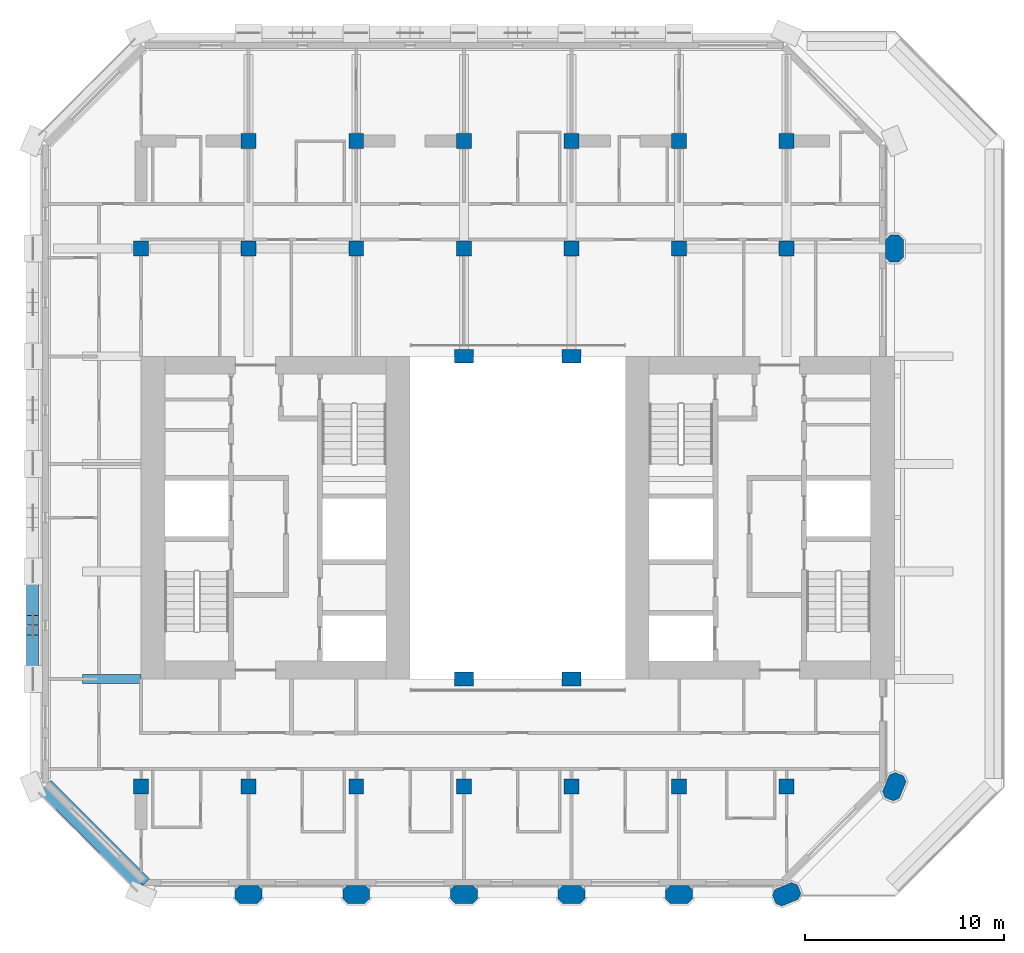
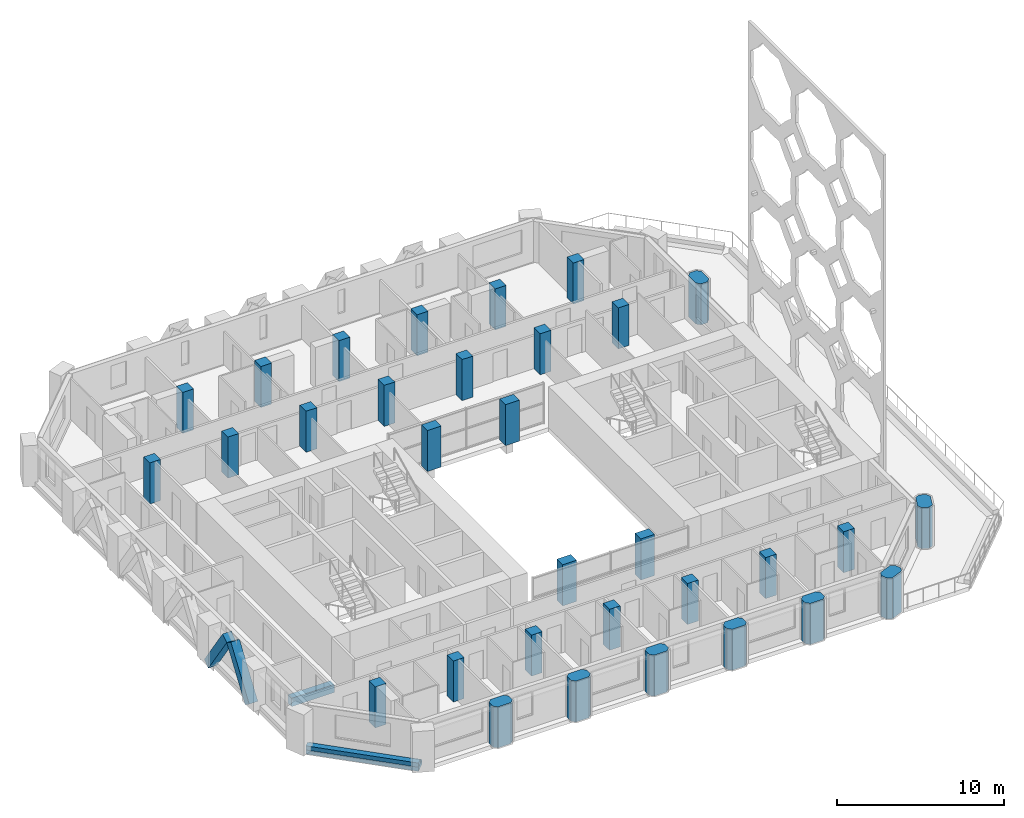
# One storey, part 1 of 15: 32 columns, 3 beams, 2 members.
"""IFC4 building model written with IfcOpenShell, lengths in metres."""

from ifc_helpers import new_model, si_unit, direction, frame, origin, origin_2d, place, context, subcontext, project, spatial, polyline, rectangle, outline, extrude, material, material_profile, profile_set, type_object, element, save


model = new_model("IFC4")

# Units and contexts
model_context = context("Model", 3, precision=1e-05, world=origin(), true_north=direction((0.0, 1.0)))
body_context = subcontext(model_context, "Body", "Model", "MODEL_VIEW")
ifc_project = project(units=[si_unit("LENGTHUNIT", "METRE"), si_unit("AREAUNIT", "SQUARE_METRE"), si_unit("VOLUMEUNIT", "CUBIC_METRE"), si_unit("PLANEANGLEUNIT", "RADIAN"), si_unit("MASSUNIT", "GRAM", prefix="KILO")], contexts=[model_context])

# Site, building, storey
site_placement = place(None, origin())
site = spatial("IfcSite", under=ifc_project, at=site_placement, CompositionType="ELEMENT")
building_placement = place(site_placement, origin())
building = spatial("IfcBuilding", under=site, at=building_placement, Name="Tabaq Tower and Sports Hall", CompositionType="ELEMENT")
storey_placement = place(building_placement, frame((0.0, 0.0, 207.10009765625)))
storey = spatial("IfcBuildingStorey", under=building, at=storey_placement, Name="L51", CompositionType="ELEMENT", Elevation=207.10009765625)

# Columns
ifc_material_1 = material(Name="Concrete C50/60", Category="concrete")
ifc_material_profile_1 = material_profile(ifc_material_1, rectangle(XDim=0.949951171875, YDim=0.699951171875, at=origin_2d()), Name="ATRIUM COLUMN 950x700")
ifc_profile_set_1 = profile_set([ifc_material_profile_1], Name="Concrete C50/60")
column_type_1 = type_object("IfcColumnType", Name="RC COLUMN ATRIUM COLUMN 950x700 C50/60", PredefinedType="COLUMN", material=ifc_profile_set_1)
for number, where, z_axis, x_axis, name in (
    (1, (21.60009765625, 16.199951171875, 0.0), (0.0, 0.0, 1.0), (1.0, 0.0, 0.0), "Atrium Column 5/D L51"),
    (2, (27.0, 16.199951171875, 0.0), (0.0, 0.0, 1.0), (1.0, 0.0, 0.0), "Atrium Column 6/D L51"),
    (3, (21.60009765625, 32.39990234375, 0.0), (0.0, 0.0, 1.0), (1.0, 0.0, 0.0), "Atrium Column 5/G L51"),
    (4, (27.0, 32.39990234375, 0.0), (0.0, 0.0, 1.0), (1.0, 0.0, 0.0), "Atrium Column 6/G L51"),
):
    element("IfcColumn", number, at=place(storey_placement, frame(where, z_axis=z_axis, x_axis=x_axis)), inside=storey, type_object=column_type_1, Name=name, PredefinedType="COLUMN", context=body_context, shape_type="SweptSolid", body=[
        extrude(rectangle(XDim=0.949951171875, YDim=0.699951171875, at=origin_2d()), origin(), (0.0, 0.0, 1.0), 3.0),
    ])
ifc_material_2 = material(Name="Concrete C50/60", Category="concrete")
ifc_material_profile_2 = material_profile(ifc_material_2, rectangle(XDim=0.75, YDim=0.75, at=origin_2d()), Name="COLUMN 750x750")
ifc_profile_set_2 = profile_set([ifc_material_profile_2], Name="Concrete C50/60")
column_type_2 = type_object("IfcColumnType", Name="RC COLUMN COLUMN 750x750 C50/60", PredefinedType="COLUMN", material=ifc_profile_set_2)
for number, where, z_axis, x_axis, name in (
    (5, (5.39990234375, 10.800048828125, 0.0), (0.0, 0.0, 1.0), (1.0, 0.0, 0.0), "Column 2/C L51"),
    (6, (10.800048828125, 10.800048828125, 0.0), (0.0, 0.0, 1.0), (1.0, 0.0, 0.0), "Column 3/C L51"),
    (7, (16.199951171875, 10.800048828125, 0.0), (0.0, 0.0, 1.0), (1.0, 0.0, 0.0), "Column 4/C L51"),
    (8, (21.60009765625, 10.800048828125, 0.0), (0.0, 0.0, 1.0), (1.0, 0.0, 0.0), "Column 5/C L51"),
    (9, (27.0, 10.800048828125, 0.0), (0.0, 0.0, 1.0), (1.0, 0.0, 0.0), "Column 6/C L51"),
    (10, (32.39990234375, 10.800048828125, 0.0), (0.0, 0.0, 1.0), (1.0, 0.0, 0.0), "Column 7/C L51"),
    (11, (37.800048828125, 10.800048828125, 0.0), (0.0, 0.0, 1.0), (1.0, 0.0, 0.0), "Column 8/C L51"),
    (12, (5.39990234375, 37.800048828125, 0.0), (0.0, 0.0, 1.0), (1.0, 0.0, 0.0), "Column 2/H L51"),
    (13, (10.800048828125, 37.800048828125, 0.0), (0.0, 0.0, 1.0), (1.0, 0.0, 0.0), "Column 3/H L51"),
    (14, (16.199951171875, 37.800048828125, 0.0), (0.0, 0.0, 1.0), (1.0, 0.0, 0.0), "Column 4/H L51"),
    (15, (21.60009765625, 37.800048828125, 0.0), (0.0, 0.0, 1.0), (1.0, 0.0, 0.0), "Column 5/H L51"),
    (16, (27.0, 37.800048828125, 0.0), (0.0, 0.0, 1.0), (1.0, 0.0, 0.0), "Column 6/H L51"),
    (17, (32.39990234375, 37.800048828125, 0.0), (0.0, 0.0, 1.0), (1.0, 0.0, 0.0), "Column 7/H L51"),
    (18, (37.800048828125, 37.800048828125, 0.0), (0.0, 0.0, 1.0), (1.0, 0.0, 0.0), "Column 8/H L51"),
    (19, (10.800048828125, 43.199951171875, 0.0), (0.0, 0.0, 1.0), (1.0, 0.0, 0.0), "Column 3/I L51"),
    (20, (16.199951171875, 43.199951171875, 0.0), (0.0, 0.0, 1.0), (1.0, 0.0, 0.0), "Column 4/I L51"),
    (21, (21.60009765625, 43.199951171875, 0.0), (0.0, 0.0, 1.0), (1.0, 0.0, 0.0), "Column 5/I L51"),
    (22, (27.0, 43.199951171875, 0.0), (0.0, 0.0, 1.0), (1.0, 0.0, 0.0), "Column 6/I L51"),
    (23, (32.39990234375, 43.199951171875, 0.0), (0.0, 0.0, 1.0), (1.0, 0.0, 0.0), "Column 7/I L51"),
    (24, (37.800048828125, 43.199951171875, 0.0), (0.0, 0.0, 1.0), (1.0, 0.0, 0.0), "Column 8/I L51"),
):
    element("IfcColumn", number, at=place(storey_placement, frame(where, z_axis=z_axis, x_axis=x_axis)), inside=storey, type_object=column_type_2, Name=name, PredefinedType="COLUMN", context=body_context, shape_type="SweptSolid", body=[
        extrude(rectangle(XDim=0.75, YDim=0.75, at=origin_2d()), origin(), (0.0, 0.0, 1.0), 3.0),
    ])
ifc_material_3 = material(Name="Concrete C50/60", Category="concrete")
ifc_material_profile_3 = material_profile(ifc_material_3, outline(polyline([(-0.449951171875, -0.449951171875), (0.449951171875, -0.449951171875), (0.675048828125, -0.22509765625), (0.675048828125, 0.22509765625), (0.449951171875, 0.449951171875), (-0.449951171875, 0.449951171875), (-0.675048828125, 0.22509765625), (-0.675048828125, -0.22509765625), (-0.449951171875, -0.449951171875)])), Name="PIER 1350x900")
ifc_profile_set_3 = profile_set([ifc_material_profile_3], Name="Concrete C50/60")
column_type_3 = type_object("IfcColumnType", Name="RC COLUMN PIER 1350x900 C50/60", PredefinedType="COLUMN", material=ifc_profile_set_3)
for number, where, z_axis, x_axis, name in (
    (25, (10.800048828125, 5.39990234375, 0.0), (0.0, 0.0, 1.0), (1.0, 0.0, 0.0), "Pier 3/B L51"),
    (26, (16.199951171875, 5.39990234375, 0.0), (0.0, 0.0, 1.0), (1.0, 0.0, 0.0), "Pier 4/B L51"),
    (27, (21.60009765625, 5.39990234375, 0.0), (0.0, 0.0, 1.0), (1.0, 0.0, 0.0), "Pier 5/B L51"),
    (28, (27.0, 5.39990234375, 0.0), (0.0, 0.0, 1.0), (1.0, 0.0, 0.0), "Pier 6/B L51"),
    (29, (32.39990234375, 5.39990234375, 0.0), (0.0, 0.0, 1.0), (1.0, 0.0, 0.0), "Pier 7/B L51"),
    (30, (37.800048828125, 5.39990234375, 0.0), (0.0, 0.0, 1.0), (0.923879532511, 0.382683432365, 0.0), "Pier 8/B L51"),
    (31, (43.199951171875, 10.800048828125, 0.0), (0.0, 0.0, 1.0), (0.382683432365, 0.923879532511, 0.0), "Pier 9/C L51"),
    (32, (43.199951171875, 37.800048828125, 0.0), (0.0, 0.0, 1.0), (0.0, 1.0, 0.0), "Pier 9/H L51"),
):
    element("IfcColumn", number, at=place(storey_placement, frame(where, z_axis=z_axis, x_axis=x_axis)), inside=storey, type_object=column_type_3, Name=name, PredefinedType="COLUMN", context=body_context, shape_type="SweptSolid", body=[
        extrude(outline(polyline([(-0.449951171875, -0.449951171875), (0.449951171875, -0.449951171875), (0.675048828125, -0.22509765625), (0.675048828125, 0.22509765625), (0.449951171875, 0.449951171875), (-0.449951171875, 0.449951171875), (-0.675048828125, 0.22509765625), (-0.675048828125, -0.22509765625), (-0.449951171875, -0.449951171875)])), origin(), (0.0, 0.0, 1.0), 3.0),
    ])

# Beams
ifc_material_4 = material(Name="Concrete C40/50", Category="concrete")
ifc_material_profile_4 = material_profile(ifc_material_4, rectangle(XDim=0.449951171875, YDim=0.60009765625, at=origin_2d()), Name="CB 450x600")
ifc_profile_set_4 = profile_set([ifc_material_profile_4], Name="Concrete C40/50")
beam_type_1 = type_object("IfcBeamType", Name="PT CANTILEVER BEAM CB 450x600 C40/50", PredefinedType="BEAM", material=ifc_profile_set_4)
beam_1_placement = place(storey_placement, frame((2.449951171875, 16.199951171875, -0.60009765625), z_axis=(1.0, 0.0, 0.0), x_axis=(0.0, 1.0, 0.0)))
element("IfcBeam", 33, at=beam_1_placement, inside=storey, type_object=beam_type_1, Name="Cantilever Beam L51 W3 span 1", PredefinedType="BEAM", context=body_context, shape_type="SweptSolid", body=[
    extrude(rectangle(XDim=0.449951171875, YDim=0.60009765625, at=origin_2d()), origin(), (0.0, 0.0, 1.0), 2.949951171875),
])
ifc_material_5 = material(Name="Concrete C40/50", Category="concrete")
ifc_material_profile_5 = material_profile(ifc_material_5, rectangle(XDim=0.85009765625, YDim=0.300048828125, at=origin_2d()), Name="EB 850x300")
ifc_profile_set_5 = profile_set([ifc_material_profile_5], Name="Concrete C40/50")
beam_type_2 = type_object("IfcBeamType", Name="PT EDGE BEAM EB 850x300 C40/50", PredefinedType="SPANDREL", material=ifc_profile_set_5)
beam_2_placement = place(storey_placement, frame((0.584716796875, 10.816162109375, -0.150146484375), z_axis=(0.707106781187, -0.707106781187, 0.0), x_axis=(0.707106781187, 0.707106781187, 0.0)))
element("IfcBeam", 34, at=beam_2_placement, inside=storey, type_object=beam_type_2, Name="Edge Beam L51 4", PredefinedType="SPANDREL", context=body_context, shape_type="SweptSolid", body=[
    extrude(rectangle(XDim=0.85009765625, YDim=0.300048828125, at=origin_2d()), origin(), (0.0, 0.0, 1.0), 6.98486328125),
])
ifc_material_6 = material(Name="Concrete C40/50", Category="concrete")
ifc_material_profile_6 = material_profile(ifc_material_6, rectangle(XDim=0.39990234375, YDim=0.300048828125, at=origin_2d()), Name="EU 400x300")
ifc_profile_set_6 = profile_set([ifc_material_profile_6], Name="Concrete C40/50")
beam_type_3 = type_object("IfcBeamType", Name="PT EDGE UPSTAND EU 400x300 C40/50", PredefinedType="BEAM", material=ifc_profile_set_6)
beam_3_placement = place(storey_placement, frame((0.42578125, 10.6572265625, 0.14990234375), z_axis=(0.707106781187, -0.707106781187, 0.0), x_axis=(0.707106781187, 0.707106781187, 0.0)))
element("IfcBeam", 35, at=beam_3_placement, inside=storey, type_object=beam_type_3, Name="Edge Upstand L51 4", PredefinedType="BEAM", context=body_context, shape_type="SweptSolid", body=[
    extrude(rectangle(XDim=0.39990234375, YDim=0.300048828125, at=origin_2d()), origin(), (0.0, 0.0, 1.0), 6.98486328125),
])

# Members
ifc_material_7 = material(Name="Concrete C50/60", Category="concrete")
ifc_material_profile_7 = material_profile(ifc_material_7, rectangle(XDim=0.60009765625, YDim=0.60009765625, at=origin_2d()), Name="TRANSFER BAND BRACE 600x600")
ifc_profile_set_7 = profile_set([ifc_material_profile_7], Name="Concrete C50/60")
member_type = type_object("IfcMemberType", Name="RC TRANSFER BAND BRACE 600x600 C50/60", PredefinedType="BRACE", material=ifc_profile_set_7)
for number, where, z_axis, x_axis, name in (
    (36, (-0.050048828125, 16.449951171875, -0.050048828125), (0.0, 0.56652615464, 0.824043758613), (-1.0, 0.0, 0.0), "Transfer Band Brace L51 West 9"),
    (37, (-0.050048828125, 21.35009765625, -0.050048828125), (0.0, -0.566568844459, 0.824014407937), (1.0, 0.0, 0.0), "Transfer Band Brace L51 West 10"),
):
    element("IfcMember", number, at=place(storey_placement, frame(where, z_axis=z_axis, x_axis=x_axis)), inside=storey, type_object=member_type, Name=name, PredefinedType="BRACE", context=body_context, shape_type="SweptSolid", body=[
        extrude(rectangle(XDim=0.60009765625, YDim=0.60009765625, at=origin_2d()), origin(), (0.0, 0.0, 1.0), 3.88330078125),
    ])

save(model, "model.ifc")
